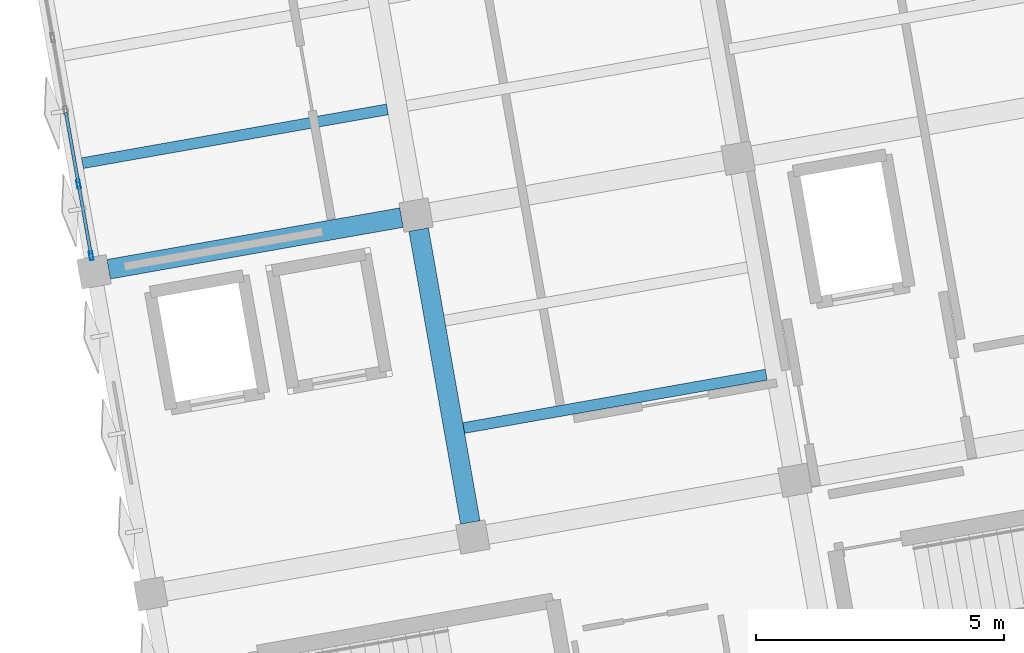
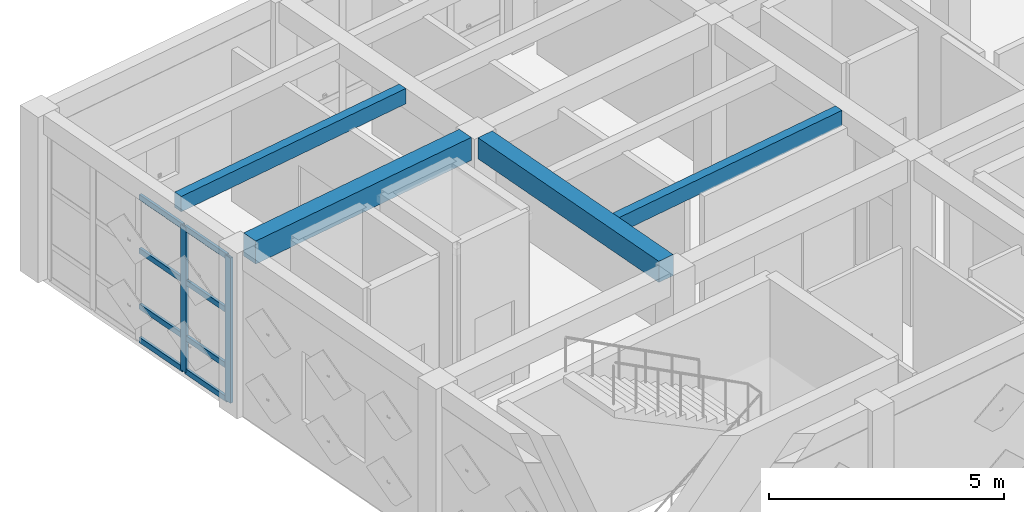
# One storey, part 2 of 29: 10 members, 4 beams, 1 element without a shape of its own.
"""IFC4 building model written with IfcOpenShell, lengths in metres."""

from ifc_helpers import new_model, si_unit, direction, frame, origin, origin_2d, place, context, subcontext, project, spatial, rectangle, hollow_rectangle, extrude, material, layer, layer_set, material_profile, profile_set, type_object, element, aggregate, save


model = new_model("IFC4")

# Units and contexts
model_context = context("Model", 3, precision=1e-05, world=origin(), true_north=direction((0.0, 1.0)))
body_context = subcontext(model_context, "Body", "Model", "MODEL_VIEW")
ifc_project = project(units=[si_unit("LENGTHUNIT", "METRE"), si_unit("AREAUNIT", "SQUARE_METRE"), si_unit("VOLUMEUNIT", "CUBIC_METRE"), si_unit("PLANEANGLEUNIT", "RADIAN"), si_unit("MASSUNIT", "GRAM", prefix="KILO")], contexts=[model_context])

# Site, building, storey
site_placement = place(None, origin())
site = spatial("IfcSite", under=ifc_project, at=site_placement, CompositionType="ELEMENT")
building_placement = place(site_placement, origin())
building = spatial("IfcBuilding", under=site, at=building_placement, Name="Kharisveld Research Institute", CompositionType="ELEMENT")
storey_placement = place(building_placement, frame((0.0, 0.0, 32.10009765625)))
storey = spatial("IfcBuildingStorey", under=building, at=storey_placement, Name="L07", CompositionType="ELEMENT", Elevation=32.10009765625)

# Beams
ifc_material_1 = material(Name="Concrete C40/50", Category="concrete")
ifc_material_profile_1 = material_profile(ifc_material_1, rectangle(XDim=0.39990234375, YDim=0.550048828125, at=origin_2d()))
ifc_profile_set_1 = profile_set([ifc_material_profile_1], Name="Concrete C40/50")
beam_type_1 = type_object("IfcBeamType", Name="BM_RC_400x550", PredefinedType="BEAM", material=ifc_profile_set_1)
beam_1_placement = place(storey_placement, frame((10.50146484375, 42.951171875, 4.034912109375), z_axis=(-0.173622845926, 0.984812219346, 0.0), x_axis=(-0.984812219346, -0.173622845926, 0.0)))
element("IfcBeam", 1, at=beam_1_placement, inside=storey, type_object=beam_type_1, Name="BM:V1:L07:V1_1", PredefinedType="BEAM", context=body_context, shape_type="SweptSolid", body=[
    extrude(rectangle(XDim=0.39990234375, YDim=0.550048828125, at=origin_2d()), origin(), (0.0, 0.0, 1.0), 6.0),
])
ifc_material_2 = material(Name="Concrete C40/50", Category="concrete")
ifc_material_profile_2 = material_profile(ifc_material_2, rectangle(XDim=0.39990234375, YDim=0.60009765625, at=origin_2d()))
ifc_profile_set_2 = profile_set([ifc_material_profile_2], Name="Concrete C40/50")
beam_type_2 = type_object("IfcBeamType", Name="BM_RC_400x600", PredefinedType="BEAM", material=ifc_profile_set_2)
beam_2_placement = place(storey_placement, frame((3.203369140625, 48.0615234375, 4.010009765625), z_axis=(0.984804034035, 0.173669267716, 0.0), x_axis=(-0.173669267716, 0.984804034035, 0.0)))
element("IfcBeam", 2, at=beam_2_placement, inside=storey, type_object=beam_type_2, Name="BM:V1:L07:U0_2", PredefinedType="BEAM", context=body_context, shape_type="SweptSolid", body=[
    extrude(rectangle(XDim=0.39990234375, YDim=0.60009765625, at=origin_2d()), origin(), (0.0, 0.0, 1.0), 5.999755859375),
])

# Curtain wall, members
ifc_material_3 = material(Name="Thermally Broken Aluminium Curtain Wall", Category="aluminium")
ifc_layer = layer(ifc_material_3, 0.159912109375)
ifc_layer_set = layer_set([ifc_layer], Name="CW_SYS_02")
curtain_wall_type = type_object("IfcCurtainWallType", Name="CW_SYS_02", PredefinedType="NOTDEFINED", material=ifc_layer_set)
curtain_wall_placement = place(storey_placement, origin())
curtain_wall = element("IfcCurtainWall", 3, at=curtain_wall_placement, inside=storey, type_object=curtain_wall_type, Name="CW:V1:L07:W2", PredefinedType="NOTDEFINED")
ifc_material_4 = material(Name="Anodised Aluminium AW-6063-T6", Category="aluminium")
ifc_material_profile_3 = material_profile(ifc_material_4, hollow_rectangle(XDim=0.070068359375, YDim=0.179931640625, WallThickness=0.00439453125, at=origin_2d()))
ifc_profile_set_3 = profile_set([ifc_material_profile_3], Name="Anodised Aluminium AW-6063-T6")
member_type_1 = type_object("IfcMemberType", Name="CW_MUL_180", PredefinedType="MULLION", material=ifc_profile_set_3)
member_1_placement = place(storey_placement, frame((2.8505859375, 48.33447265625, 0.0), z_axis=(0.0, 0.0, 1.0), x_axis=(-0.98480774719, -0.173648210685, 0.0)))
member_1 = element("IfcMember", 4, at=member_1_placement, type_object=member_type_1, Name="CW-02 mullion 1", PredefinedType="MULLION", context=body_context, shape_type="SweptSolid", body=[
    extrude(hollow_rectangle(XDim=0.070068359375, YDim=0.179931640625, WallThickness=0.00439453125, at=origin_2d()), origin(), (0.0, 0.0, 1.0), 3.77978515625),
])
member_2_placement = place(storey_placement, frame((2.595703125, 49.779541015625, 0.0), z_axis=(0.0, 0.0, 1.0), x_axis=(-0.98480774719, -0.173648210685, 0.0)))
member_2 = element("IfcMember", 5, at=member_2_placement, type_object=member_type_1, Name="CW-02 mullion 2", PredefinedType="MULLION", context=body_context, shape_type="SweptSolid", body=[
    extrude(hollow_rectangle(XDim=0.070068359375, YDim=0.179931640625, WallThickness=0.00439453125, at=origin_2d()), origin(), (0.0, 0.0, 1.0), 3.77978515625),
])
ifc_material_5 = material(Name="Anodised Aluminium AW-6063-T6", Category="aluminium")
ifc_material_profile_4 = material_profile(ifc_material_5, hollow_rectangle(XDim=0.06494140625, YDim=0.139892578125, WallThickness=0.00390625, at=origin_2d()))
ifc_profile_set_4 = profile_set([ifc_material_profile_4], Name="Anodised Aluminium AW-6063-T6")
member_type_2 = type_object("IfcMemberType", Name="CW_TRN_140", PredefinedType="USERDEFINED", material=ifc_profile_set_4)
member_3_placement = place(storey_placement, frame((2.844482421875, 48.368896484375, 0.032470703125), z_axis=(-0.173655770047, 0.984806414241, 0.0), x_axis=(-0.984806414241, -0.173655770047, 0.0)))
member_3 = element("IfcMember", 6, at=member_3_placement, type_object=member_type_2, Name="CW-02 transom 1.1", ObjectType="TRANSOM", PredefinedType="USERDEFINED", context=body_context, shape_type="SweptSolid", body=[
    extrude(hollow_rectangle(XDim=0.06494140625, YDim=0.139892578125, WallThickness=0.00390625, at=origin_2d()), origin(), (0.0, 0.0, 1.0), 1.3974609375),
])
member_4_placement = place(storey_placement, frame((2.844482421875, 48.368896484375, 0.89990234375), z_axis=(-0.173655770047, 0.984806414241, 0.0), x_axis=(-0.984806414241, -0.173655770047, 0.0)))
member_4 = element("IfcMember", 7, at=member_4_placement, type_object=member_type_2, Name="CW-02 transom 1.2", ObjectType="TRANSOM", PredefinedType="USERDEFINED", context=body_context, shape_type="SweptSolid", body=[
    extrude(hollow_rectangle(XDim=0.06494140625, YDim=0.139892578125, WallThickness=0.00390625, at=origin_2d()), origin(), (0.0, 0.0, 1.0), 1.3974609375),
])
member_5_placement = place(storey_placement, frame((2.844482421875, 48.368896484375, 2.349853515625), z_axis=(-0.173655770047, 0.984806414241, 0.0), x_axis=(-0.984806414241, -0.173655770047, 0.0)))
member_5 = element("IfcMember", 8, at=member_5_placement, type_object=member_type_2, Name="CW-02 transom 1.3", ObjectType="TRANSOM", PredefinedType="USERDEFINED", context=body_context, shape_type="SweptSolid", body=[
    extrude(hollow_rectangle(XDim=0.06494140625, YDim=0.139892578125, WallThickness=0.00390625, at=origin_2d()), origin(), (0.0, 0.0, 1.0), 1.3974609375),
])
member_6_placement = place(storey_placement, frame((2.844482421875, 48.368896484375, 3.747314453125), z_axis=(-0.173655770047, 0.984806414241, 0.0), x_axis=(-0.984806414241, -0.173655770047, 0.0)))
member_6 = element("IfcMember", 9, at=member_6_placement, type_object=member_type_2, Name="CW-02 transom 1.4", ObjectType="TRANSOM", PredefinedType="USERDEFINED", context=body_context, shape_type="SweptSolid", body=[
    extrude(hollow_rectangle(XDim=0.06494140625, YDim=0.139892578125, WallThickness=0.00390625, at=origin_2d()), origin(), (0.0, 0.0, 1.0), 1.3974609375),
])
member_7_placement = place(storey_placement, frame((2.589599609375, 49.814208984375, 0.032470703125), z_axis=(-0.173678378913, 0.98480242724, 0.0), x_axis=(-0.98480242724, -0.173678378913, 0.0)))
member_7 = element("IfcMember", 10, at=member_7_placement, type_object=member_type_2, Name="CW-02 transom 2.1", ObjectType="TRANSOM", PredefinedType="USERDEFINED", context=body_context, shape_type="SweptSolid", body=[
    extrude(hollow_rectangle(XDim=0.06494140625, YDim=0.139892578125, WallThickness=0.00390625, at=origin_2d()), origin(), (0.0, 0.0, 1.0), 1.432373046875),
])
member_8_placement = place(storey_placement, frame((2.589599609375, 49.814208984375, 0.89990234375), z_axis=(-0.173678378913, 0.98480242724, 0.0), x_axis=(-0.98480242724, -0.173678378913, 0.0)))
member_8 = element("IfcMember", 11, at=member_8_placement, type_object=member_type_2, Name="CW-02 transom 2.2", ObjectType="TRANSOM", PredefinedType="USERDEFINED", context=body_context, shape_type="SweptSolid", body=[
    extrude(hollow_rectangle(XDim=0.06494140625, YDim=0.139892578125, WallThickness=0.00390625, at=origin_2d()), origin(), (0.0, 0.0, 1.0), 1.432373046875),
])
member_9_placement = place(storey_placement, frame((2.589599609375, 49.814208984375, 2.349853515625), z_axis=(-0.173678378913, 0.98480242724, 0.0), x_axis=(-0.98480242724, -0.173678378913, 0.0)))
member_9 = element("IfcMember", 12, at=member_9_placement, type_object=member_type_2, Name="CW-02 transom 2.3", ObjectType="TRANSOM", PredefinedType="USERDEFINED", context=body_context, shape_type="SweptSolid", body=[
    extrude(hollow_rectangle(XDim=0.06494140625, YDim=0.139892578125, WallThickness=0.00390625, at=origin_2d()), origin(), (0.0, 0.0, 1.0), 1.432373046875),
])
member_10_placement = place(storey_placement, frame((2.589599609375, 49.814208984375, 3.747314453125), z_axis=(-0.173678378913, 0.98480242724, 0.0), x_axis=(-0.98480242724, -0.173678378913, 0.0)))
member_10 = element("IfcMember", 13, at=member_10_placement, type_object=member_type_2, Name="CW-02 transom 2.4", ObjectType="TRANSOM", PredefinedType="USERDEFINED", context=body_context, shape_type="SweptSolid", body=[
    extrude(hollow_rectangle(XDim=0.06494140625, YDim=0.139892578125, WallThickness=0.00390625, at=origin_2d()), origin(), (0.0, 0.0, 1.0), 1.432373046875),
])
aggregate(curtain_wall, [member_1, member_2, member_3, member_4, member_5, member_6, member_7, member_8, member_9, member_10])

# Beams
ifc_material_6 = material(Name="Concrete C40/50", Category="concrete")
ifc_material_profile_5 = material_profile(ifc_material_6, rectangle(XDim=0.219970703125, YDim=0.39990234375, at=origin_2d()))
ifc_profile_set_5 = profile_set([ifc_material_profile_5], Name="Concrete C40/50")
beam_type_3 = type_object("IfcBeamType", Name="WB_RC_220x400", PredefinedType="JOIST", material=ifc_profile_set_5)
beam_3_placement = place(storey_placement, frame((2.673583984375, 50.2021484375, 4.10986328125), z_axis=(0.984810288083, 0.17363379995, 0.0), x_axis=(-0.17363379995, 0.984810288083, 0.0)))
element("IfcBeam", 14, at=beam_3_placement, inside=storey, type_object=beam_type_3, Name="BM:V1:L07:J_0_2_R1", PredefinedType="JOIST", context=body_context, shape_type="SweptSolid", body=[
    extrude(rectangle(XDim=0.219970703125, YDim=0.39990234375, at=origin_2d()), origin(), (0.0, 0.0, 1.0), 6.25),
])
beam_4_placement = place(storey_placement, frame((10.36865234375, 44.857177734375, 4.10986328125), z_axis=(0.984806146634, 0.173657287643, 0.0), x_axis=(-0.173657287643, 0.984806146634, 0.0)))
element("IfcBeam", 15, at=beam_4_placement, inside=storey, type_object=beam_type_3, Name="BM:V1:L07:J_1_1_R1", PredefinedType="JOIST", context=body_context, shape_type="SweptSolid", body=[
    extrude(rectangle(XDim=0.219970703125, YDim=0.39990234375, at=origin_2d()), origin(), (0.0, 0.0, 1.0), 6.199951171875),
])

save(model, "model.ifc")
